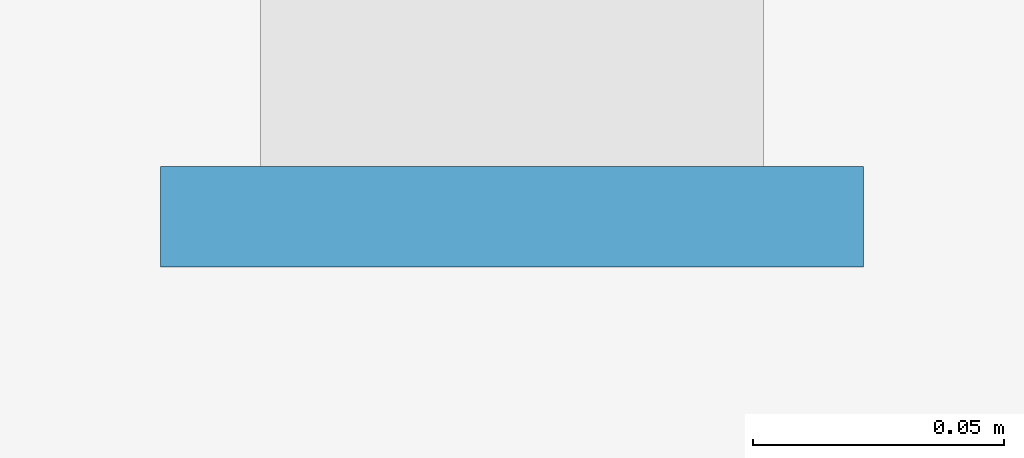
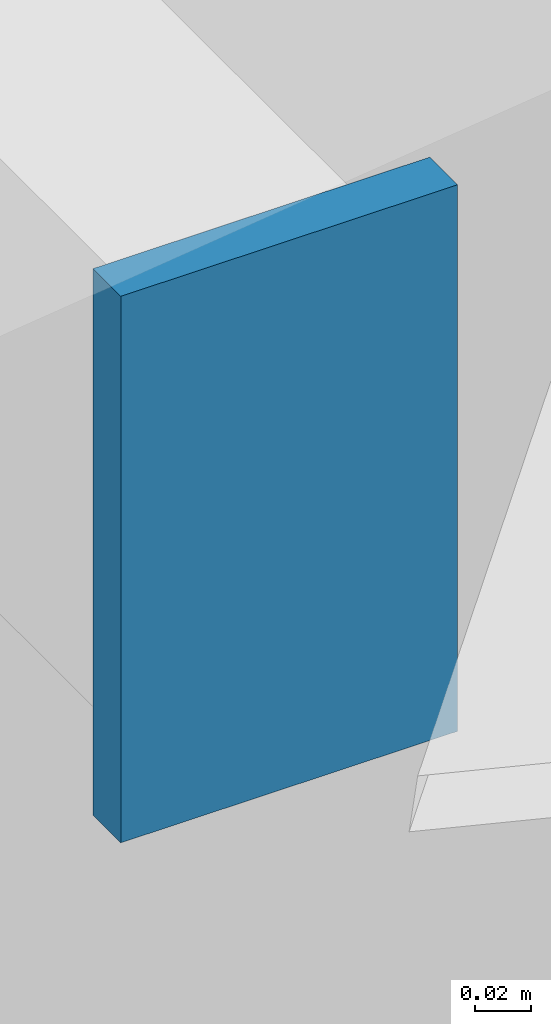
# One storey, part 6 of 8: 1 plate.
"""IFC4 building model written with IfcOpenShell, lengths in metres."""

from ifc_helpers import new_model, si_unit, direction, frame, origin, origin_2d, place, context, subcontext, project, spatial, rectangle, extrude, source, transform, mapped, material, layer, layer_set, type_object, element, save


model = new_model("IFC4")

# Units and contexts
model_context = context("Model", 3, precision=1e-05, world=origin(), true_north=direction((0.0, 1.0)))
body_context = subcontext(model_context, "Body", "Model", "MODEL_VIEW")
ifc_project = project(units=[si_unit("LENGTHUNIT", "METRE"), si_unit("AREAUNIT", "SQUARE_METRE"), si_unit("VOLUMEUNIT", "CUBIC_METRE"), si_unit("PLANEANGLEUNIT", "RADIAN"), si_unit("MASSUNIT", "GRAM", prefix="KILO"), si_unit("THERMODYNAMICTEMPERATUREUNIT", "KELVIN"), si_unit("POWERUNIT", "WATT")], contexts=[model_context])

# Site, building, storey
site_placement = place(None, origin())
site = spatial("IfcSite", under=ifc_project, at=site_placement, CompositionType="ELEMENT")
building_placement = place(site_placement, origin())
building = spatial("IfcBuilding", under=site, at=building_placement, Name="Qiaomeng Ring Towers", CompositionType="ELEMENT")
storey_placement = place(building_placement, frame((0.0, 0.0, 267.75)))
storey = spatial("IfcBuildingStorey", under=building, at=storey_placement, Name="Roof", CompositionType="ELEMENT", Elevation=267.75)

# Plate
ifc_material = material(Name="Steel Q355B", Category="steel")
ifc_layer = layer(ifc_material, 0.02001953125, Name="Steel Q355B")
ifc_layer_set = layer_set([ifc_layer], Name="Steel Q355B")
plate_type = type_object("IfcPlateType", Name="STR-PL-CAP", PredefinedType="USERDEFINED", material=ifc_layer_set)
shared_shape = source(origin(), body_context, "Body", "SweptSolid", [
    extrude(rectangle(XDim=0.139892578125, YDim=0.02001953125, at=origin_2d()), origin(), (0.0, 0.0, 1.0), 0.239990234375),
])
plate_placement = place(storey_placement, frame((29.5, 8.840087890625, 11.48974609375), z_axis=(0.0, 0.0, 1.0), x_axis=(1.0, 0.0, 0.0)))
element("IfcPlate", 1, at=plate_placement, inside=storey, type_object=plate_type, Name="Crown Roof Purlin PR1-5 End Cap Plate S", ObjectType="END CAP PLATE", PredefinedType="USERDEFINED", context=body_context, shape_type="MappedRepresentation", body=[
    mapped(shared_shape, transform((0.0, 0.0, 0.0), x_axis=(1.0, 0.0, 0.0), y_axis=(0.0, 1.0, 0.0), z_axis=(0.0, 0.0, 1.0), scale=1.0)),
])

save(model, "model.ifc")
